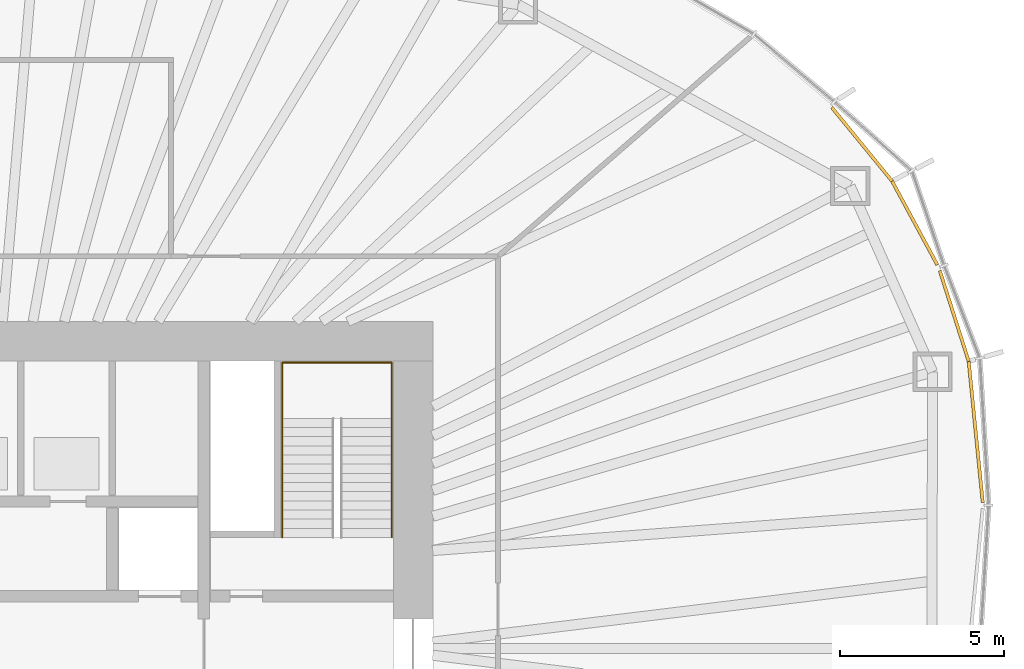
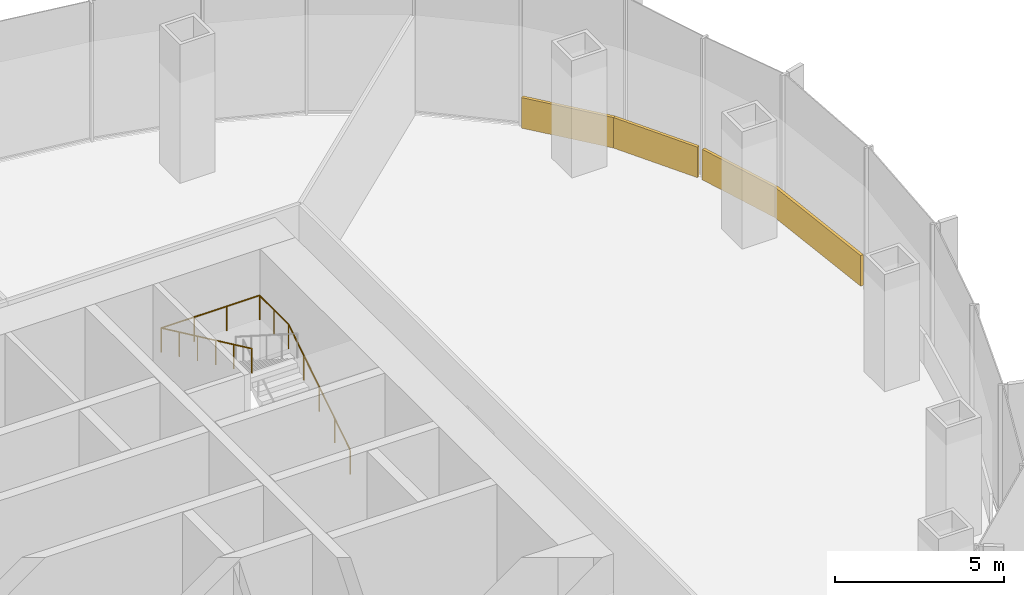
# One storey, part 17 of 18: 4 coverings, 1 railing.
"""IFC4 building model written with IfcOpenShell, lengths in metres."""

from ifc_helpers import new_model, si_unit, direction, frame, origin, origin_2d, place, context, subcontext, project, spatial, rectangle, circle, extrude, material, layer, layer_set, type_object, element, save


model = new_model("IFC4")

# Units and contexts
model_context = context("Model", 3, precision=1e-05, world=origin(), true_north=direction((0.0, 1.0)))
body_context = subcontext(model_context, "Body", "Model", "MODEL_VIEW")
ifc_project = project(units=[si_unit("LENGTHUNIT", "METRE"), si_unit("AREAUNIT", "SQUARE_METRE"), si_unit("VOLUMEUNIT", "CUBIC_METRE"), si_unit("PLANEANGLEUNIT", "RADIAN"), si_unit("MASSUNIT", "GRAM", prefix="KILO")], contexts=[model_context])

# Site, building, storey
site_placement = place(None, origin())
site = spatial("IfcSite", under=ifc_project, at=site_placement, CompositionType="ELEMENT")
building_placement = place(site_placement, origin())
building = spatial("IfcBuilding", under=site, at=building_placement, Name="Ghaith Harvest Tower", CompositionType="ELEMENT")
storey_placement = place(building_placement, frame((0.0, 0.0, 184.800048828125)))
storey = spatial("IfcBuildingStorey", under=building, at=storey_placement, Name="L40", CompositionType="ELEMENT", Elevation=184.800048828125)

# Railing
ifc_material_1 = material(Name="Steel, black powder-coated", Category="steel")
railing_type = type_object("IfcRailingType", Name="HANDRAIL HR1", PredefinedType="HANDRAIL", material=ifc_material_1)
railing_placement = place(storey_placement, frame((12.75, 3.39990234375, 0.178466796875)))
element("IfcRailing", 1, at=railing_placement, inside=storey, type_object=railing_type, Name="Handrail HR1 stair ST2 L40 wall side", PredefinedType="HANDRAIL", context=body_context, shape_type="SweptSolid", body=[
    extrude(circle(Radius=0.02392578125, at=origin_2d()), frame((0.0, 0.0, 0.8759765625), z_axis=(0.0, 0.843127859045, 0.537713132908), x_axis=(-1.0, 0.0, 0.0)), (0.0, 0.0, 1.0), 4.3173828125),
    extrude(circle(Radius=0.02392578125, at=origin_2d()), frame((0.0, 3.64013671875, 3.197265625), z_axis=(0.0, 1.0, 0.0), x_axis=(-1.0, 0.0, 0.0)), (0.0, 0.0, 1.0), 1.7099609375),
    extrude(circle(Radius=0.02392578125, at=origin_2d()), frame((0.0, 5.35009765625, 3.197265625), z_axis=(-1.0, 0.0, 0.0), x_axis=(0.0, -1.0, 0.0)), (0.0, 0.0, 1.0), 3.35009765625),
    extrude(circle(Radius=0.02392578125, at=origin_2d()), frame((-3.35009765625, 5.35009765625, 3.197265625), z_axis=(0.0, -0.905969675553, 0.423342588193), x_axis=(1.0, 0.0, 0.0)), (0.0, 0.0, 1.0), 5.9052734375),
    extrude(circle(Radius=0.02099609375, at=origin_2d()), origin(), (0.0, 0.0, 1.0), 0.851806640625),
    extrude(circle(Radius=0.02099609375, at=origin_2d()), frame((0.0, 0.91015625, 0.580322265625)), (0.0, 0.0, 1.0), 0.851806640625),
    extrude(circle(Radius=0.02099609375, at=origin_2d()), frame((0.0, 1.820068359375, 1.16064453125)), (0.0, 0.0, 1.0), 0.851806640625),
    extrude(circle(Radius=0.02099609375, at=origin_2d()), frame((0.0, 2.72998046875, 1.7412109375)), (0.0, 0.0, 1.0), 0.851806640625),
    extrude(circle(Radius=0.02099609375, at=origin_2d()), frame((0.0, 3.64013671875, 2.321533203125)), (0.0, 0.0, 1.0), 0.851806640625),
    extrude(circle(Radius=0.02099609375, at=origin_2d()), frame((0.0, 4.4951171875, 2.321533203125)), (0.0, 0.0, 1.0), 0.851806640625),
    extrude(circle(Radius=0.02099609375, at=origin_2d()), frame((0.0, 5.35009765625, 2.321533203125)), (0.0, 0.0, 1.0), 0.851806640625),
    extrude(circle(Radius=0.02099609375, at=origin_2d()), frame((-1.11669921875, 5.35009765625, 2.321533203125)), (0.0, 0.0, 1.0), 0.851806640625),
    extrude(circle(Radius=0.02099609375, at=origin_2d()), frame((-2.2333984375, 5.35009765625, 2.321533203125)), (0.0, 0.0, 1.0), 0.851806640625),
    extrude(circle(Radius=0.02099609375, at=origin_2d()), frame((-3.35009765625, 5.35009765625, 2.321533203125)), (0.0, 0.0, 1.0), 0.851806640625),
    extrude(circle(Radius=0.02099609375, at=origin_2d()), frame((-3.35009765625, 4.280029296875, 2.821533203125)), (0.0, 0.0, 1.0), 0.851806640625),
    extrude(circle(Radius=0.02099609375, at=origin_2d()), frame((-3.35009765625, 3.2099609375, 3.321533203125)), (0.0, 0.0, 1.0), 0.851806640625),
    extrude(circle(Radius=0.02099609375, at=origin_2d()), frame((-3.35009765625, 2.14013671875, 3.821533203125)), (0.0, 0.0, 1.0), 0.851806640625),
    extrude(circle(Radius=0.02099609375, at=origin_2d()), frame((-3.35009765625, 1.070068359375, 4.321533203125)), (0.0, 0.0, 1.0), 0.851806640625),
    extrude(circle(Radius=0.02099609375, at=origin_2d()), frame((-3.35009765625, 0.0, 4.821533203125)), (0.0, 0.0, 1.0), 0.851806640625),
])

# Coverings
ifc_material_2 = material(Name="Insulated aluminium spandrel panel on steel framing", Category="steel")
ifc_layer = layer(ifc_material_2, 0.10009765625)
ifc_layer_set = layer_set([ifc_layer], Name="SLAB EDGE UPSTAND 1100x100")
covering_type = type_object("IfcCoveringType", Name="SLAB EDGE UPSTAND 1100x100", PredefinedType="CLADDING", material=ifc_layer_set)
covering_1_placement = place(storey_placement, frame((30.604736328125, 6.630126953125, 0.0), z_axis=(0.0, 0.0, 1.0), x_axis=(-0.099131765681, 0.995074315332, 0.0)))
element("IfcCovering", 2, at=covering_1_placement, inside=storey, type_object=covering_type, Name="Slab edge upstand 2 bay 01 L40", PredefinedType="CLADDING", context=body_context, shape_type="SweptSolid", body=[
    extrude(rectangle(XDim=4.346435546875, YDim=0.10009765625, at=origin_2d()), origin(), (0.0, 0.0, 1.0), 1.10009765625),
])
covering_2_placement = place(storey_placement, frame((29.948486328125, 10.171875, 0.0), z_axis=(0.0, 0.0, 1.0), x_axis=(-0.303716894855, 0.952762324916, 0.0)))
element("IfcCovering", 3, at=covering_2_placement, inside=storey, type_object=covering_type, Name="Slab edge upstand 1 bay 02 L40", PredefinedType="CLADDING", context=body_context, shape_type="SweptSolid", body=[
    extrude(rectangle(XDim=2.916748046875, YDim=0.10009765625, at=origin_2d()), origin(), (0.0, 0.0, 1.0), 1.10009765625),
])
for number, where, z_axis, x_axis, name in (
    (4, (28.738037109375, 13.018798828125, 0.0), (0.0, 0.0, 1.0), (-0.475408661811, 0.87976508471, 0.0), "Slab edge upstand 2 bay 02 L40"),
    (5, (27.127197265625, 15.4228515625, 0.0), (0.0, 0.0, 1.0), (-0.632969558548, 0.774176683937, 0.0), "Slab edge upstand 3 bay 02 L40"),
):
    element("IfcCovering", number, at=place(storey_placement, frame(where, z_axis=z_axis, x_axis=x_axis)), inside=storey, type_object=covering_type, Name=name, PredefinedType="CLADDING", context=body_context, shape_type="SweptSolid", body=[
        extrude(rectangle(XDim=2.91650390625, YDim=0.10009765625, at=origin_2d()), origin(), (0.0, 0.0, 1.0), 1.10009765625),
    ])

save(model, "model.ifc")
